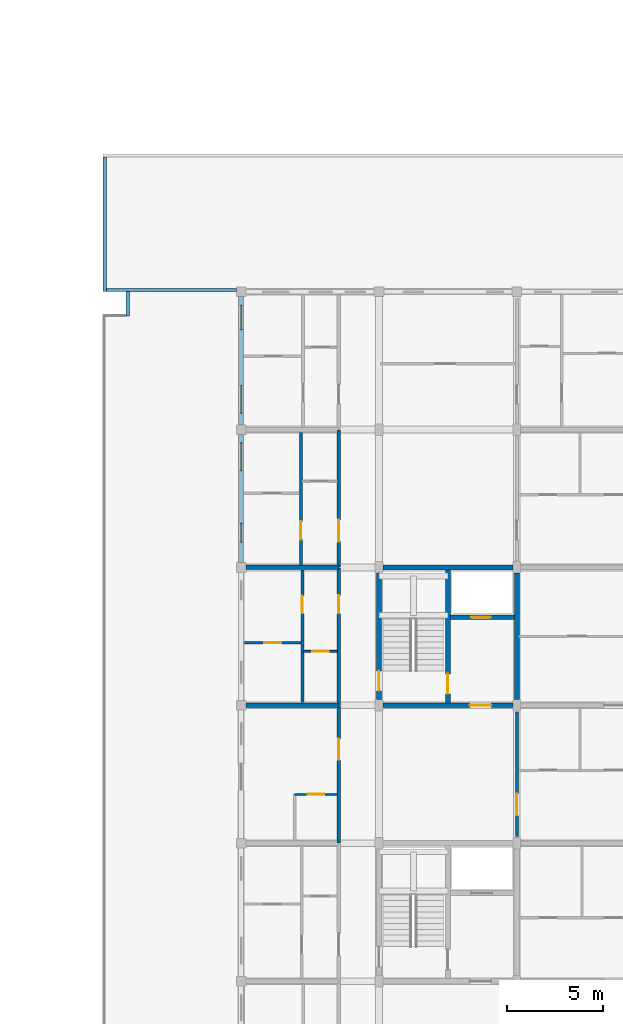
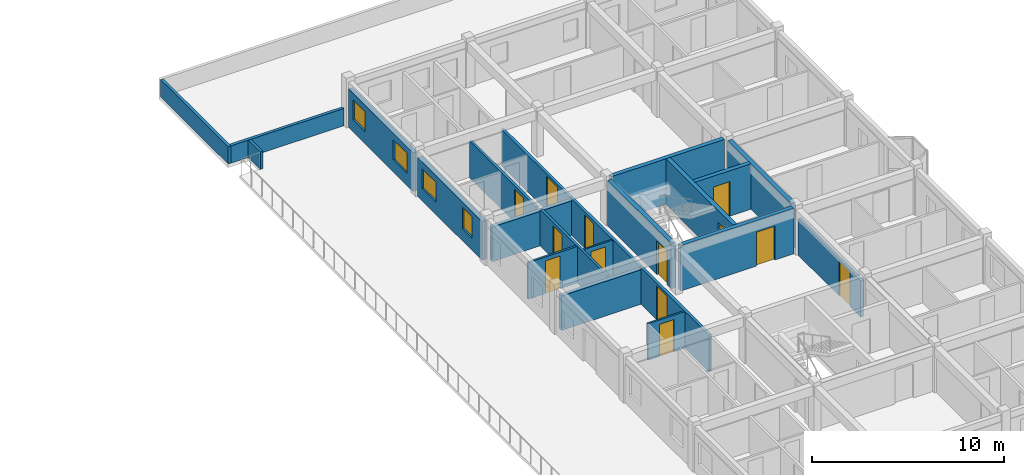
# One storey, part 56 of 70: 22 walls, 13 doors, 4 windows, 17 openings.
"""IFC4 building model written with IfcOpenShell, lengths in metres."""

from ifc_helpers import new_model, si_unit, direction, frame, frame_2d, origin, place, context, subcontext, project, spatial, rectangle, extrude, material, layer, layer_set, type_object, element, fill, save


model = new_model("IFC4")

# Units and contexts
model_context = context("Model", 3, precision=1e-05, world=origin(), true_north=direction((0.0, 1.0)))
body_context = subcontext(model_context, "Body", "Model", "MODEL_VIEW")
ifc_project = project(units=[si_unit("LENGTHUNIT", "METRE"), si_unit("AREAUNIT", "SQUARE_METRE"), si_unit("VOLUMEUNIT", "CUBIC_METRE"), si_unit("PLANEANGLEUNIT", "RADIAN"), si_unit("MASSUNIT", "GRAM", prefix="KILO"), si_unit("THERMODYNAMICTEMPERATUREUNIT", "KELVIN"), si_unit("POWERUNIT", "WATT")], contexts=[model_context])

# Site, building, storey
site_placement = place(None, origin())
site = spatial("IfcSite", under=ifc_project, at=site_placement, CompositionType="ELEMENT")
building_placement = place(site_placement, origin())
building = spatial("IfcBuilding", under=site, at=building_placement, Name="Tavuni Mirador Residences", CompositionType="ELEMENT")
storey_placement = place(building_placement, frame((0.0, 0.0, 23.39990234375)))
storey = spatial("IfcBuildingStorey", under=building, at=storey_placement, Name="L07", CompositionType="ELEMENT", Elevation=23.39990234375)

# Wall, opening, door
ifc_material_1 = material(Name="Precast concrete C40/50", Category="concrete")
ifc_layer_1 = layer(ifc_material_1, 0.25, Name="Precast concrete C40/50", Category="concrete")
ifc_layer_set_1 = layer_set([ifc_layer_1], Name="Precast concrete C40/50")
wall_type_1 = type_object("IfcWallType", Name="WT-COR250", PredefinedType="SHEAR", material=ifc_layer_set_1)
wall_1_placement = place(storey_placement, frame((104.39990234375, 108.300048828125, 0.0), z_axis=(0.0, 0.0, 1.0), x_axis=(0.0, 1.0, 0.0)))
wall_1 = element("IfcWall", 1, at=wall_1_placement, inside=storey, type_object=wall_type_1, Name="CWALL-C8-L07-W", PredefinedType="SHEAR", context=body_context, shape_type="SweptSolid", body=[
    extrude(rectangle(XDim=6.599853515625, YDim=0.25, at=frame_2d((3.2998046875, 0.0))), origin(), (0.0, 0.0, 1.0), 2.89013671875),
])
opening_1_placement = place(wall_1_placement, frame((0.449951171875, 0.0, 0.0)))
opening_1 = element("IfcOpeningElement", 2, at=opening_1_placement, cuts=wall_1, Name="Opening D-01", PredefinedType="OPENING", context=body_context, shape_type="SweptSolid", body=[
    extrude(rectangle(XDim=1.050048828125, YDim=2.14990234375, at=frame_2d((0.52490234375, 1.074951171875))), frame((0.0, 0.135009765625, 0.0), z_axis=(0.0, -1.0, 0.0), x_axis=(1.0, 0.0, 0.0)), (0.0, 0.0, 1.0), 0.27001953125),
])
ifc_material_2 = material(Name="Solid core iroko timber", Category="wood")
door_type_1 = type_object("IfcDoorType", Name="DT-ST1050", OperationType="NOTDEFINED", PredefinedType="DOOR", material=ifc_material_2)
door_1_placement = place(opening_1_placement, origin())
door_1 = element("IfcDoor", 3, at=door_1_placement, inside=storey, type_object=door_type_1, Name="DR-2341", OperationType="SINGLE_SWING_RIGHT", OverallHeight=2.14990234375, OverallWidth=1.050048828125, PredefinedType="DOOR", context=body_context, shape_type="SweptSolid", body=[
    extrude(rectangle(XDim=1.050048828125, YDim=2.14990234375, at=frame_2d((0.52490234375, 1.074951171875))), frame((0.0, 0.02490234375, 0.0), z_axis=(0.0, -1.0, 0.0), x_axis=(1.0, 0.0, 0.0)), (0.0, 0.0, 1.0), 0.050048828125),
])
fill(opening_1, door_1)

# Walls
wall_2_placement = place(storey_placement, frame((104.60009765625, 115.199951171875, 0.0), z_axis=(0.0, 0.0, 1.0), x_axis=(1.0, 0.0, 0.0)))
element("IfcWall", 4, at=wall_2_placement, inside=storey, type_object=wall_type_1, Name="CWALL-C8-L07-N", PredefinedType="SHEAR", context=body_context, shape_type="SweptSolid", body=[
    extrude(rectangle(XDim=6.7998046875, YDim=0.25, at=frame_2d((3.39990234375, 0.0))), origin(), (0.0, 0.0, 1.0), 2.89013671875),
])
wall_3_placement = place(storey_placement, frame((111.60009765625, 108.300048828125, 0.0), z_axis=(0.0, 0.0, 1.0), x_axis=(0.0, 1.0, 0.0)))
element("IfcWall", 5, at=wall_3_placement, inside=storey, type_object=wall_type_1, Name="CWALL-C8-L07-E", PredefinedType="SHEAR", context=body_context, shape_type="SweptSolid", body=[
    extrude(rectangle(XDim=6.599853515625, YDim=0.25, at=frame_2d((3.2998046875, 0.0))), origin(), (0.0, 0.0, 1.0), 2.89013671875),
])

# Wall, opening, door
wall_4_placement = place(storey_placement, frame((104.60009765625, 108.0, 0.0), z_axis=(0.0, 0.0, 1.0), x_axis=(1.0, 0.0, 0.0)))
wall_4 = element("IfcWall", 6, at=wall_4_placement, inside=storey, type_object=wall_type_1, Name="CWALL-C8-L07-SS", PredefinedType="SHEAR", context=body_context, shape_type="SweptSolid", body=[
    extrude(rectangle(XDim=6.7998046875, YDim=0.25, at=frame_2d((3.39990234375, 0.0))), origin(), (0.0, 0.0, 1.0), 2.89013671875),
])
opening_2_placement = place(wall_4_placement, frame((4.550048828125, 0.0, 0.0)))
opening_2 = element("IfcOpeningElement", 7, at=opening_2_placement, cuts=wall_4, Name="Opening D-02", PredefinedType="OPENING", context=body_context, shape_type="SweptSolid", body=[
    extrude(rectangle(XDim=1.10009765625, YDim=2.14990234375, at=frame_2d((0.550048828125, 1.074951171875))), frame((0.0, 0.135009765625, 0.0), z_axis=(0.0, -1.0, 0.0), x_axis=(1.0, 0.0, 0.0)), (0.0, 0.0, 1.0), 0.27001953125),
])
door_type_2 = type_object("IfcDoorType", Name="DT-LOB1100", OperationType="NOTDEFINED", PredefinedType="DOOR", material=ifc_material_2)
door_2_placement = place(opening_2_placement, frame((1.10009765625, 0.0, 0.0), z_axis=(0.0, 0.0, 1.0), x_axis=(-1.0, 0.0, 0.0)))
door_2 = element("IfcDoor", 8, at=door_2_placement, inside=storey, type_object=door_type_2, Name="DR-2342", OperationType="SINGLE_SWING_RIGHT", OverallHeight=2.14990234375, OverallWidth=1.10009765625, PredefinedType="DOOR", context=body_context, shape_type="SweptSolid", body=[
    extrude(rectangle(XDim=1.10009765625, YDim=2.14990234375, at=frame_2d((0.550048828125, 1.074951171875))), frame((0.0, 0.02490234375, 0.0), z_axis=(0.0, -1.0, 0.0), x_axis=(1.0, 0.0, 0.0)), (0.0, 0.0, 1.0), 0.050048828125),
])
fill(opening_2, door_2)

wall_5_placement = place(storey_placement, frame((108.0, 108.125, 0.0), z_axis=(0.0, 0.0, 1.0), x_axis=(0.0, 1.0, 0.0)))
wall_5 = element("IfcWall", 9, at=wall_5_placement, inside=storey, type_object=wall_type_1, Name="CWALL-C8-L07-MID", PredefinedType="SHEAR", context=body_context, shape_type="SweptSolid", body=[
    extrude(rectangle(XDim=6.949951171875, YDim=0.25, at=frame_2d((3.47509765625, 0.0))), origin(), (0.0, 0.0, 1.0), 2.89013671875),
])
opening_3_placement = place(wall_5_placement, frame((0.47509765625, 0.0, 0.0)))
opening_3 = element("IfcOpeningElement", 10, at=opening_3_placement, cuts=wall_5, Name="Opening D-01", PredefinedType="OPENING", context=body_context, shape_type="SweptSolid", body=[
    extrude(rectangle(XDim=1.050048828125, YDim=2.14990234375, at=frame_2d((0.52490234375, 1.074951171875))), frame((0.0, 0.135009765625, 0.0), z_axis=(0.0, -1.0, 0.0), x_axis=(1.0, 0.0, 0.0)), (0.0, 0.0, 1.0), 0.27001953125),
])
door_3_placement = place(opening_3_placement, origin())
door_3 = element("IfcDoor", 11, at=door_3_placement, inside=storey, type_object=door_type_1, Name="DR-2343", OperationType="SINGLE_SWING_LEFT", OverallHeight=2.14990234375, OverallWidth=1.050048828125, PredefinedType="DOOR", context=body_context, shape_type="SweptSolid", body=[
    extrude(rectangle(XDim=1.050048828125, YDim=2.14990234375, at=frame_2d((0.52490234375, 1.074951171875))), frame((0.0, 0.02490234375, 0.0), z_axis=(0.0, -1.0, 0.0), x_axis=(1.0, 0.0, 0.0)), (0.0, 0.0, 1.0), 0.050048828125),
])
fill(opening_3, door_3)

wall_6_placement = place(storey_placement, frame((108.125, 112.60009765625, 0.0), z_axis=(0.0, 0.0, 1.0), x_axis=(1.0, 0.0, 0.0)))
wall_6 = element("IfcWall", 12, at=wall_6_placement, inside=storey, type_object=wall_type_1, Name="CWALL-C8-L07-SHF", PredefinedType="SHEAR", context=body_context, shape_type="SweptSolid", body=[
    extrude(rectangle(XDim=3.35009765625, YDim=0.25, at=frame_2d((1.675048828125, 0.0))), origin(), (0.0, 0.0, 1.0), 2.89013671875),
])
opening_4_placement = place(wall_6_placement, frame((1.10009765625, 0.0, 0.0)))
opening_4 = element("IfcOpeningElement", 13, at=opening_4_placement, cuts=wall_6, Name="Opening LD-02", PredefinedType="OPENING", context=body_context, shape_type="SweptSolid", body=[
    extrude(rectangle(XDim=1.0, YDim=2.199951171875, at=frame_2d((0.5, 1.10009765625))), frame((0.0, 0.135009765625, 0.0), z_axis=(0.0, -1.0, 0.0), x_axis=(1.0, 0.0, 0.0)), (0.0, 0.0, 1.0), 0.27001953125),
])
ifc_material_3 = material(Name="Structural steel S355", Category="steel")
door_type_3 = type_object("IfcDoorType", Name="DT-LD-PAX", OperationType="SLIDING_TO_LEFT", PredefinedType="DOOR", material=ifc_material_3)
door_4_placement = place(opening_4_placement, origin())
door_4 = element("IfcDoor", 14, at=door_4_placement, inside=storey, type_object=door_type_3, Name="Lift landing door PL-D1 L07", OperationType="SLIDING_TO_LEFT", OverallHeight=2.199951171875, OverallWidth=1.0, PredefinedType="DOOR", context=body_context, shape_type="SweptSolid", body=[
    extrude(rectangle(XDim=1.0, YDim=2.199951171875, at=frame_2d((0.5, 1.10009765625))), frame((0.0, 0.02490234375, 0.0), z_axis=(0.0, -1.0, 0.0), x_axis=(1.0, 0.0, 0.0)), (0.0, 0.0, 1.0), 0.050048828125),
])
fill(opening_4, door_4)

ifc_layer_2 = layer(ifc_material_1, 0.1650390625, Name="Precast concrete C40/50", Category="concrete")
ifc_layer_set_2 = layer_set([ifc_layer_2], Name="Precast concrete C40/50")
wall_type_2 = type_object("IfcWallType", Name="WT-CORR165", PredefinedType="PARTITIONING", material=ifc_layer_set_2)
wall_7_placement = place(storey_placement, frame((102.300048828125, 100.820068359375, 0.0), z_axis=(0.0, 0.0, 1.0), x_axis=(0.0, 1.0, 0.0)))
wall_7 = element("IfcWall", 15, at=wall_7_placement, inside=storey, type_object=wall_type_2, Name="CORW-BLK-D-L07-0-02", PredefinedType="PARTITIONING", context=body_context, shape_type="SweptSolid", body=[
    extrude(rectangle(XDim=7.159912109375, YDim=0.1650390625, at=frame_2d((3.580078125, 0.0))), origin(), (0.0, 0.0, 1.0), 2.3251953125),
])
opening_5_placement = place(wall_7_placement, frame((4.330078125, 0.0, 0.0)))
opening_5 = element("IfcOpeningElement", 16, at=opening_5_placement, cuts=wall_7, Name="Opening D-02", PredefinedType="OPENING", context=body_context, shape_type="SweptSolid", body=[
    extrude(rectangle(XDim=1.10009765625, YDim=2.14990234375, at=frame_2d((0.550048828125, 1.074951171875))), frame((0.0, 0.092529296875, 0.0), z_axis=(0.0, -1.0, 0.0), x_axis=(1.0, 0.0, 0.0)), (0.0, 0.0, 1.0), 0.18505859375),
])
door_5_placement = place(opening_5_placement, origin())
door_5 = element("IfcDoor", 17, at=door_5_placement, inside=storey, type_object=door_type_2, Name="DR-2895", OperationType="SINGLE_SWING_RIGHT", OverallHeight=2.14990234375, OverallWidth=1.10009765625, PredefinedType="DOOR", context=body_context, shape_type="SweptSolid", body=[
    extrude(rectangle(XDim=1.10009765625, YDim=2.14990234375, at=frame_2d((0.550048828125, 1.074951171875))), frame((0.0, 0.02490234375, 0.0), z_axis=(0.0, -1.0, 0.0), x_axis=(1.0, 0.0, 0.0)), (0.0, 0.0, 1.0), 0.050048828125),
])
fill(opening_5, door_5)

wall_8_placement = place(storey_placement, frame((102.300048828125, 108.02001953125, 0.0), z_axis=(0.0, 0.0, 1.0), x_axis=(0.0, 1.0, 0.0)))
wall_8 = element("IfcWall", 18, at=wall_8_placement, inside=storey, type_object=wall_type_2, Name="CORW-BLK-D-L07-0-03", PredefinedType="PARTITIONING", context=body_context, shape_type="SweptSolid", body=[
    extrude(rectangle(XDim=7.159912109375, YDim=0.1650390625, at=frame_2d((3.580078125, 0.0))), origin(), (0.0, 0.0, 1.0), 2.3251953125),
])
opening_6_placement = place(wall_8_placement, frame((4.780029296875, 0.0, 0.0)))
opening_6 = element("IfcOpeningElement", 19, at=opening_6_placement, cuts=wall_8, Name="Opening D-19", PredefinedType="OPENING", context=body_context, shape_type="SweptSolid", body=[
    extrude(rectangle(XDim=0.93994140625, YDim=2.1201171875, at=frame_2d((0.469970703125, 1.06005859375))), frame((0.0, 0.092529296875, 0.0), z_axis=(0.0, -1.0, 0.0), x_axis=(1.0, 0.0, 0.0)), (0.0, 0.0, 1.0), 0.18505859375),
])
door_type_4 = type_object("IfcDoorType", Name="DT-FD60-940", OperationType="NOTDEFINED", PredefinedType="DOOR", material=ifc_material_2)
door_6_placement = place(opening_6_placement, origin())
door_6 = element("IfcDoor", 20, at=door_6_placement, inside=storey, type_object=door_type_4, Name="DR-2896", OperationType="SINGLE_SWING_LEFT", OverallHeight=2.1201171875, OverallWidth=0.93994140625, PredefinedType="DOOR", context=body_context, shape_type="SweptSolid", body=[
    extrude(rectangle(XDim=0.93994140625, YDim=2.1201171875, at=frame_2d((0.469970703125, 1.06005859375))), frame((0.0, 0.02490234375, 0.0), z_axis=(0.0, -1.0, 0.0), x_axis=(1.0, 0.0, 0.0)), (0.0, 0.0, 1.0), 0.050048828125),
])
fill(opening_6, door_6)

wall_9_placement = place(storey_placement, frame((102.300048828125, 115.219970703125, 0.0), z_axis=(0.0, 0.0, 1.0), x_axis=(0.0, 1.0, 0.0)))
wall_9 = element("IfcWall", 21, at=wall_9_placement, inside=storey, type_object=wall_type_2, Name="CORW-BLK-D-L07-0-04", PredefinedType="PARTITIONING", context=body_context, shape_type="SweptSolid", body=[
    extrude(rectangle(XDim=7.159912109375, YDim=0.1650390625, at=frame_2d((3.580078125, 0.0))), origin(), (0.0, 0.0, 1.0), 2.3251953125),
])
opening_7_placement = place(wall_9_placement, frame((1.330078125, 0.0, 0.0)))
opening_7 = element("IfcOpeningElement", 22, at=opening_7_placement, cuts=wall_9, Name="Opening D-20", PredefinedType="OPENING", context=body_context, shape_type="SweptSolid", body=[
    extrude(rectangle(XDim=1.139892578125, YDim=2.179931640625, at=frame_2d((0.56982421875, 1.08984375))), frame((0.0, 0.092529296875, 0.0), z_axis=(0.0, -1.0, 0.0), x_axis=(1.0, 0.0, 0.0)), (0.0, 0.0, 1.0), 0.18505859375),
])
door_type_5 = type_object("IfcDoorType", Name="DT-FD60-1140", OperationType="NOTDEFINED", PredefinedType="DOOR", material=ifc_material_2)
door_7_placement = place(opening_7_placement, origin())
door_7 = element("IfcDoor", 23, at=door_7_placement, inside=storey, type_object=door_type_5, Name="DR-2897", OperationType="SINGLE_SWING_RIGHT", OverallHeight=2.179931640625, OverallWidth=1.139892578125, PredefinedType="DOOR", context=body_context, shape_type="SweptSolid", body=[
    extrude(rectangle(XDim=1.139892578125, YDim=2.179931640625, at=frame_2d((0.56982421875, 1.08984375))), frame((0.0, 0.02490234375, 0.0), z_axis=(0.0, -1.0, 0.0), x_axis=(1.0, 0.0, 0.0)), (0.0, 0.0, 1.0), 0.050048828125),
])
fill(opening_7, door_7)

wall_10_placement = place(storey_placement, frame((111.60009765625, 101.14990234375, 0.0), z_axis=(0.0, 0.0, 1.0), x_axis=(0.0, 1.0, 0.0)))
wall_10 = element("IfcWall", 24, at=wall_10_placement, inside=storey, type_object=wall_type_2, Name="CORW-BLK-D-L07-1-02", PredefinedType="PARTITIONING", context=body_context, shape_type="SweptSolid", body=[
    extrude(rectangle(XDim=6.5, YDim=0.1650390625, at=frame_2d((3.25, 0.0))), origin(), (0.0, 0.0, 1.0), 2.3251953125),
])
opening_8_placement = place(wall_10_placement, frame((1.10009765625, 0.0, 0.0)))
opening_8 = element("IfcOpeningElement", 25, at=opening_8_placement, cuts=wall_10, Name="Opening D-20", PredefinedType="OPENING", context=body_context, shape_type="SweptSolid", body=[
    extrude(rectangle(XDim=1.139892578125, YDim=2.179931640625, at=frame_2d((0.56982421875, 1.08984375))), frame((0.0, 0.092529296875, 0.0), z_axis=(0.0, -1.0, 0.0), x_axis=(1.0, 0.0, 0.0)), (0.0, 0.0, 1.0), 0.18505859375),
])
door_8_placement = place(opening_8_placement, origin())
door_8 = element("IfcDoor", 26, at=door_8_placement, inside=storey, type_object=door_type_5, Name="DR-2900", OperationType="SINGLE_SWING_LEFT", OverallHeight=2.179931640625, OverallWidth=1.139892578125, PredefinedType="DOOR", context=body_context, shape_type="SweptSolid", body=[
    extrude(rectangle(XDim=1.139892578125, YDim=2.179931640625, at=frame_2d((0.56982421875, 1.08984375))), frame((0.0, 0.02490234375, 0.0), z_axis=(0.0, -1.0, 0.0), x_axis=(1.0, 0.0, 0.0)), (0.0, 0.0, 1.0), 0.050048828125),
])
fill(opening_8, door_8)

# Wall, openings, windows
ifc_material_4 = material(Name="Sgraffito lime-rendered precast concrete C40/50", Category="concrete")
ifc_layer_3 = layer(ifc_material_4, 0.2548828125, Name="Sgraffito lime-rendered precast concrete C40/50", Category="concrete")
ifc_layer_set_3 = layer_set([ifc_layer_3], Name="Sgraffito lime-rendered precast concrete C40/50")
wall_type_3 = type_object("IfcWallType", Name="WT-EXT-PC255", PredefinedType="SOLIDWALL", material=ifc_layer_set_3)
wall_11_placement = place(storey_placement, frame((97.199951171875, 129.35009765625, 0.0), z_axis=(0.0, 0.0, 1.0), x_axis=(0.0, -1.0, 0.0)))
wall_11 = element("IfcWall", 27, at=wall_11_placement, inside=storey, type_object=wall_type_3, Name="EW-BLK-D-L07-W05", PredefinedType="SOLIDWALL", context=body_context, shape_type="SweptSolid", body=[
    extrude(rectangle(XDim=6.7001953125, YDim=0.2548828125, at=frame_2d((3.35009765625, 0.0))), origin(), (0.0, 0.0, 1.0), 2.460205078125),
])
opening_9_placement = place(wall_11_placement, frame((0.449951171875, 0.0, 0.780029296875)))
opening_9 = element("IfcOpeningElement", 28, at=opening_9_placement, cuts=wall_11, Name="Opening WN-14", PredefinedType="OPENING", context=body_context, shape_type="SweptSolid", body=[
    extrude(rectangle(XDim=1.280029296875, YDim=1.260009765625, at=frame_2d((0.64013671875, 0.6298828125))), frame((0.0, 0.137451171875, 0.0), z_axis=(0.0, -1.0, 0.0), x_axis=(1.0, 0.0, 0.0)), (0.0, 0.0, 1.0), 0.27490234375),
])
opening_10_placement = place(wall_11_placement, frame((4.64990234375, 0.0, 0.780029296875)))
opening_10 = element("IfcOpeningElement", 29, at=opening_10_placement, cuts=wall_11, Name="Opening WN-16", PredefinedType="OPENING", context=body_context, shape_type="SweptSolid", body=[
    extrude(rectangle(XDim=1.43994140625, YDim=1.260009765625, at=frame_2d((0.719970703125, 0.6298828125))), frame((0.0, 0.137451171875, 0.0), z_axis=(0.0, -1.0, 0.0), x_axis=(1.0, 0.0, 0.0)), (0.0, 0.0, 1.0), 0.27490234375),
])
ifc_material_5 = material(Name="Laminated solar-control glass", Category="glass")
window_type_1 = type_object("IfcWindowType", Name="WNT-14", PartitioningType="SINGLE_PANEL", PredefinedType="WINDOW", material=ifc_material_5)
window_1_placement = place(opening_9_placement, origin())
window_1 = element("IfcWindow", 30, at=window_1_placement, inside=storey, type_object=window_type_1, Name="WIN-1716", OverallHeight=1.260009765625, OverallWidth=1.280029296875, PartitioningType="SINGLE_PANEL", PredefinedType="WINDOW", context=body_context, shape_type="SweptSolid", body=[
    extrude(rectangle(XDim=1.280029296875, YDim=1.260009765625, at=frame_2d((0.64013671875, 0.6298828125))), frame((0.0, 0.030029296875, 0.0), z_axis=(0.0, -1.0, 0.0), x_axis=(1.0, 0.0, 0.0)), (0.0, 0.0, 1.0), 0.06005859375),
])
fill(opening_9, window_1)
window_type_2 = type_object("IfcWindowType", Name="WNT-16", PartitioningType="SINGLE_PANEL", PredefinedType="WINDOW", material=ifc_material_5)
window_2_placement = place(opening_10_placement, origin())
window_2 = element("IfcWindow", 31, at=window_2_placement, inside=storey, type_object=window_type_2, Name="WIN-1717", OverallHeight=1.260009765625, OverallWidth=1.43994140625, PartitioningType="SINGLE_PANEL", PredefinedType="WINDOW", context=body_context, shape_type="SweptSolid", body=[
    extrude(rectangle(XDim=1.43994140625, YDim=1.260009765625, at=frame_2d((0.719970703125, 0.6298828125))), frame((0.0, 0.030029296875, 0.0), z_axis=(0.0, -1.0, 0.0), x_axis=(1.0, 0.0, 0.0)), (0.0, 0.0, 1.0), 0.06005859375),
])
fill(opening_10, window_2)

ifc_layer_4 = layer(ifc_material_4, 0.27490234375, Name="Sgraffito lime-rendered precast concrete C40/50", Category="concrete")
ifc_layer_set_4 = layer_set([ifc_layer_4], Name="Sgraffito lime-rendered precast concrete C40/50")
wall_type_4 = type_object("IfcWallType", Name="WT-EXT-PC275", PredefinedType="SOLIDWALL", material=ifc_layer_set_4)
wall_12_placement = place(storey_placement, frame((97.199951171875, 122.14990234375, 0.0), z_axis=(0.0, 0.0, 1.0), x_axis=(0.0, -1.0, 0.0)))
wall_12 = element("IfcWall", 32, at=wall_12_placement, inside=storey, type_object=wall_type_4, Name="EW-BLK-D-L07-W04", PredefinedType="SOLIDWALL", context=body_context, shape_type="SweptSolid", body=[
    extrude(rectangle(XDim=6.699951171875, YDim=0.27490234375, at=frame_2d((3.35009765625, 0.0))), origin(), (0.0, 0.0, 1.0), 2.460205078125),
])
opening_11_placement = place(wall_12_placement, frame((0.449951171875, 0.0, 0.780029296875)))
opening_11 = element("IfcOpeningElement", 33, at=opening_11_placement, cuts=wall_12, Name="Opening WN-16", PredefinedType="OPENING", context=body_context, shape_type="SweptSolid", body=[
    extrude(rectangle(XDim=1.43994140625, YDim=1.260009765625, at=frame_2d((0.719970703125, 0.6298828125))), frame((0.0, 0.1474609375, 0.0), z_axis=(0.0, -1.0, 0.0), x_axis=(1.0, 0.0, 0.0)), (0.0, 0.0, 1.0), 0.294921875),
])
opening_12_placement = place(wall_12_placement, frame((4.64990234375, 0.0, 0.780029296875)))
opening_12 = element("IfcOpeningElement", 34, at=opening_12_placement, cuts=wall_12, Name="Opening WN-18", PredefinedType="OPENING", context=body_context, shape_type="SweptSolid", body=[
    extrude(rectangle(XDim=0.97998046875, YDim=1.360107421875, at=frame_2d((0.489990234375, 0.68017578125))), frame((0.0, 0.1474609375, 0.0), z_axis=(0.0, -1.0, 0.0), x_axis=(1.0, 0.0, 0.0)), (0.0, 0.0, 1.0), 0.294921875),
])
window_3_placement = place(opening_11_placement, origin())
window_3 = element("IfcWindow", 35, at=window_3_placement, inside=storey, type_object=window_type_2, Name="WIN-1718", OverallHeight=1.260009765625, OverallWidth=1.43994140625, PartitioningType="SINGLE_PANEL", PredefinedType="WINDOW", context=body_context, shape_type="SweptSolid", body=[
    extrude(rectangle(XDim=1.43994140625, YDim=1.260009765625, at=frame_2d((0.719970703125, 0.6298828125))), frame((0.0, 0.030029296875, 0.0), z_axis=(0.0, -1.0, 0.0), x_axis=(1.0, 0.0, 0.0)), (0.0, 0.0, 1.0), 0.06005859375),
])
fill(opening_11, window_3)
window_type_3 = type_object("IfcWindowType", Name="WNT-18", PartitioningType="SINGLE_PANEL", PredefinedType="WINDOW", material=ifc_material_5)
window_4_placement = place(opening_12_placement, origin())
window_4 = element("IfcWindow", 36, at=window_4_placement, inside=storey, type_object=window_type_3, Name="WIN-1719", OverallHeight=1.360107421875, OverallWidth=0.97998046875, PartitioningType="SINGLE_PANEL", PredefinedType="WINDOW", context=body_context, shape_type="SweptSolid", body=[
    extrude(rectangle(XDim=0.97998046875, YDim=1.360107421875, at=frame_2d((0.489990234375, 0.68017578125))), frame((0.0, 0.030029296875, 0.0), z_axis=(0.0, -1.0, 0.0), x_axis=(1.0, 0.0, 0.0)), (0.0, 0.0, 1.0), 0.06005859375),
])
fill(opening_12, window_4)

# Walls
ifc_layer_5 = layer(ifc_material_1, 0.175048828125, Name="Precast concrete C40/50", Category="concrete")
ifc_layer_set_5 = layer_set([ifc_layer_5], Name="Precast concrete C40/50")
wall_type_5 = type_object("IfcWallType", Name="WT-PAR175", PredefinedType="PARAPET", material=ifc_layer_set_5)
wall_13_placement = place(storey_placement, frame((90.08740234375, 129.60009765625, 0.0), z_axis=(0.0, 0.0, 1.0), x_axis=(0.0, 1.0, 0.0)))
element("IfcWall", 37, at=wall_13_placement, inside=storey, type_object=wall_type_5, Name="Setback roof parapet ROOF-D-L07-N W", PredefinedType="PARAPET", context=body_context, shape_type="SweptSolid", body=[
    extrude(rectangle(XDim=7.02490234375, YDim=0.175048828125, at=frame_2d((3.512451171875, 0.0))), origin(), (0.0, 0.0, 1.0), 1.10009765625),
])
wall_14_placement = place(storey_placement, frame((90.175048828125, 129.6875, 0.0), z_axis=(0.0, 0.0, 1.0), x_axis=(1.0, 0.0, 0.0)))
element("IfcWall", 38, at=wall_14_placement, inside=storey, type_object=wall_type_5, Name="Setback roof parapet ROOF-D-L07-N S", PredefinedType="PARAPET", context=body_context, shape_type="SweptSolid", body=[
    extrude(rectangle(XDim=6.77294921875, YDim=0.175048828125, at=frame_2d((3.386474609375, 0.0))), origin(), (0.0, 0.0, 1.0), 1.10009765625),
])
wall_15_placement = place(storey_placement, frame((91.28759765625, 128.340087890625, 0.0), z_axis=(0.0, 0.0, 1.0), x_axis=(0.0, 1.0, 0.0)))
element("IfcWall", 39, at=wall_15_placement, inside=storey, type_object=wall_type_5, Name="Terrace parapet TER-D-L07 R", PredefinedType="PARAPET", context=body_context, shape_type="SweptSolid", body=[
    extrude(rectangle(XDim=1.260009765625, YDim=0.175048828125, at=frame_2d((0.6298828125, 0.0))), origin(), (0.0, 0.0, 1.0), 1.10009765625),
])

# Wall, opening, door
ifc_material_6 = material(Name="Acoustic gypsum and concrete block partition", Category="concrete")
ifc_layer_6 = layer(ifc_material_6, 0.094970703125, Name="Acoustic gypsum and concrete block partition", Category="concrete")
ifc_layer_set_6 = layer_set([ifc_layer_6], Name="Acoustic gypsum and concrete block partition")
wall_type_6 = type_object("IfcWallType", Name="WT-PART095", PredefinedType="PARTITIONING", material=ifc_layer_set_6)
wall_16_placement = place(storey_placement, frame((100.469970703125, 110.820068359375, 0.0), z_axis=(0.0, 0.0, 1.0), x_axis=(1.0, 0.0, 0.0)))
wall_16 = element("IfcWall", 40, at=wall_16_placement, inside=storey, type_object=wall_type_6, Name="PW-BLK-D-L07-W03-IN1", PredefinedType="PARTITIONING", context=body_context, shape_type="SweptSolid", body=[
    extrude(rectangle(XDim=1.739990234375, YDim=0.094970703125, at=frame_2d((0.8701171875, 0.0))), origin(), (0.0, 0.0, 1.0), 2.3251953125),
])
opening_13_placement = place(wall_16_placement, frame((0.43505859375, 0.0, 0.0)))
opening_13 = element("IfcOpeningElement", 41, at=opening_13_placement, cuts=wall_16, Name="Opening D-10", PredefinedType="OPENING", context=body_context, shape_type="SweptSolid", body=[
    extrude(rectangle(XDim=0.8701171875, YDim=2.050048828125, at=frame_2d((0.43505859375, 1.02490234375))), frame((0.0, 0.0576171875, 0.0), z_axis=(0.0, -1.0, 0.0), x_axis=(1.0, 0.0, 0.0)), (0.0, 0.0, 1.0), 0.114990234375),
])
door_type_6 = type_object("IfcDoorType", Name="DT-WC870", OperationType="NOTDEFINED", PredefinedType="DOOR", material=ifc_material_2)
door_9_placement = place(opening_13_placement, origin())
door_9 = element("IfcDoor", 42, at=door_9_placement, inside=storey, type_object=door_type_6, Name="DR-4565", OperationType="SINGLE_SWING_LEFT", OverallHeight=2.050048828125, OverallWidth=0.8701171875, PredefinedType="DOOR", context=body_context, shape_type="SweptSolid", body=[
    extrude(rectangle(XDim=0.8701171875, YDim=2.050048828125, at=frame_2d((0.43505859375, 1.02490234375))), frame((0.0, 0.02490234375, 0.0), z_axis=(0.0, -1.0, 0.0), x_axis=(1.0, 0.0, 0.0)), (0.0, 0.0, 1.0), 0.050048828125),
])
fill(opening_13, door_9)

ifc_layer_7 = layer(ifc_material_6, 0.114990234375, Name="Acoustic gypsum and concrete block partition", Category="concrete")
ifc_layer_set_7 = layer_set([ifc_layer_7], Name="Acoustic gypsum and concrete block partition")
wall_type_7 = type_object("IfcWallType", Name="WT-PART115", PredefinedType="PARTITIONING", material=ifc_layer_set_7)
wall_17_placement = place(storey_placement, frame((100.0, 103.35009765625, 0.0), z_axis=(0.0, 0.0, 1.0), x_axis=(1.0, 0.0, 0.0)))
wall_17 = element("IfcWall", 43, at=wall_17_placement, inside=storey, type_object=wall_type_7, Name="PW-BLK-D-L07-W02-2", PredefinedType="PARTITIONING", context=body_context, shape_type="SweptSolid", body=[
    extrude(rectangle(XDim=2.2099609375, YDim=0.114990234375, at=frame_2d((1.10498046875, 0.0))), origin(), (0.0, 0.0, 1.0), 2.3251953125),
])
opening_14_placement = place(wall_17_placement, frame((0.679931640625, 0.0, 0.0)))
opening_14 = element("IfcOpeningElement", 44, at=opening_14_placement, cuts=wall_17, Name="Opening D-10", PredefinedType="OPENING", context=body_context, shape_type="SweptSolid", body=[
    extrude(rectangle(XDim=0.8701171875, YDim=2.050048828125, at=frame_2d((0.43505859375, 1.02490234375))), frame((0.0, 0.0673828125, 0.0), z_axis=(0.0, -1.0, 0.0), x_axis=(1.0, 0.0, 0.0)), (0.0, 0.0, 1.0), 0.135009765625),
])
door_10_placement = place(opening_14_placement, origin())
door_10 = element("IfcDoor", 45, at=door_10_placement, inside=storey, type_object=door_type_6, Name="DR-4561", OperationType="SINGLE_SWING_RIGHT", OverallHeight=2.050048828125, OverallWidth=0.8701171875, PredefinedType="DOOR", context=body_context, shape_type="SweptSolid", body=[
    extrude(rectangle(XDim=0.8701171875, YDim=2.050048828125, at=frame_2d((0.43505859375, 1.02490234375))), frame((0.0, 0.02490234375, 0.0), z_axis=(0.0, -1.0, 0.0), x_axis=(1.0, 0.0, 0.0)), (0.0, 0.0, 1.0), 0.050048828125),
])
fill(opening_14, door_10)

ifc_layer_8 = layer(ifc_material_6, 0.125, Name="Acoustic gypsum and concrete block partition", Category="concrete")
ifc_layer_set_8 = layer_set([ifc_layer_8], Name="Acoustic gypsum and concrete block partition")
wall_type_8 = type_object("IfcWallType", Name="WT-PART125", PredefinedType="PARTITIONING", material=ifc_layer_set_8)
wall_18_placement = place(storey_placement, frame((97.375, 111.260009765625, 0.0), z_axis=(0.0, 0.0, 1.0), x_axis=(1.0, 0.0, 0.0)))
wall_18 = element("IfcWall", 46, at=wall_18_placement, inside=storey, type_object=wall_type_8, Name="PW-BLK-D-L07-W03-OUT", PredefinedType="PARTITIONING", context=body_context, shape_type="SweptSolid", body=[
    extrude(rectangle(XDim=2.955078125, YDim=0.125, at=frame_2d((1.4775390625, 0.0))), origin(), (0.0, 0.0, 1.0), 2.3251953125),
])
opening_15_placement = place(wall_18_placement, frame((1.03759765625, 0.0, 0.0)))
opening_15 = element("IfcOpeningElement", 47, at=opening_15_placement, cuts=wall_18, Name="Opening D-08", PredefinedType="OPENING", context=body_context, shape_type="SweptSolid", body=[
    extrude(rectangle(XDim=0.8798828125, YDim=2.080078125, at=frame_2d((0.43994140625, 1.0400390625))), frame((0.0, 0.072509765625, 0.0), z_axis=(0.0, -1.0, 0.0), x_axis=(1.0, 0.0, 0.0)), (0.0, 0.0, 1.0), 0.14501953125),
])
door_type_7 = type_object("IfcDoorType", Name="DT-BED880", OperationType="NOTDEFINED", PredefinedType="DOOR", material=ifc_material_2)
door_11_placement = place(opening_15_placement, origin())
door_11 = element("IfcDoor", 48, at=door_11_placement, inside=storey, type_object=door_type_7, Name="DR-4564", OperationType="SINGLE_SWING_RIGHT", OverallHeight=2.080078125, OverallWidth=0.8798828125, PredefinedType="DOOR", context=body_context, shape_type="SweptSolid", body=[
    extrude(rectangle(XDim=0.8798828125, YDim=2.080078125, at=frame_2d((0.43994140625, 1.0400390625))), frame((0.0, 0.02490234375, 0.0), z_axis=(0.0, -1.0, 0.0), x_axis=(1.0, 0.0, 0.0)), (0.0, 0.0, 1.0), 0.050048828125),
])
fill(opening_15, door_11)

ifc_layer_9 = layer(ifc_material_6, 0.14990234375, Name="Acoustic gypsum and concrete block partition", Category="concrete")
ifc_layer_set_9 = layer_set([ifc_layer_9], Name="Acoustic gypsum and concrete block partition")
wall_type_9 = type_object("IfcWallType", Name="WT-PART150", PredefinedType="PARTITIONING", material=ifc_layer_set_9)
wall_19_placement = place(storey_placement, frame((100.39990234375, 108.139892578125, 0.0), z_axis=(0.0, 0.0, 1.0), x_axis=(0.0, 1.0, 0.0)))
wall_19 = element("IfcWall", 49, at=wall_19_placement, inside=storey, type_object=wall_type_9, Name="PW-BLK-D-L07-W03-MID", PredefinedType="PARTITIONING", context=body_context, shape_type="SweptSolid", body=[
    extrude(rectangle(XDim=6.920166015625, YDim=0.14990234375, at=frame_2d((3.4599609375, 0.0))), origin(), (0.0, 0.0, 1.0), 2.3251953125),
])
opening_16_placement = place(wall_19_placement, frame((4.659912109375, 0.0, 0.0)))
opening_16 = element("IfcOpeningElement", 50, at=opening_16_placement, cuts=wall_19, Name="Opening D-06", PredefinedType="OPENING", context=body_context, shape_type="SweptSolid", body=[
    extrude(rectangle(XDim=0.919921875, YDim=2.10009765625, at=frame_2d((0.4599609375, 1.050048828125))), frame((0.0, 0.0849609375, 0.0), z_axis=(0.0, -1.0, 0.0), x_axis=(1.0, 0.0, 0.0)), (0.0, 0.0, 1.0), 0.169921875),
])
door_type_8 = type_object("IfcDoorType", Name="DT-INT920", OperationType="NOTDEFINED", PredefinedType="DOOR", material=ifc_material_2)
door_12_placement = place(opening_16_placement, origin())
door_12 = element("IfcDoor", 51, at=door_12_placement, inside=storey, type_object=door_type_8, Name="DR-4566", OperationType="SINGLE_SWING_RIGHT", OverallHeight=2.10009765625, OverallWidth=0.919921875, PredefinedType="DOOR", context=body_context, shape_type="SweptSolid", body=[
    extrude(rectangle(XDim=0.919921875, YDim=2.10009765625, at=frame_2d((0.4599609375, 1.050048828125))), frame((0.0, 0.02490234375, 0.0), z_axis=(0.0, -1.0, 0.0), x_axis=(1.0, 0.0, 0.0)), (0.0, 0.0, 1.0), 0.050048828125),
])
fill(opening_16, door_12)

wall_20_placement = place(storey_placement, frame((100.320068359375, 115.340087890625, 0.0), z_axis=(0.0, 0.0, 1.0), x_axis=(0.0, 1.0, 0.0)))
wall_20 = element("IfcWall", 52, at=wall_20_placement, inside=storey, type_object=wall_type_9, Name="PW-BLK-D-L07-W04-MID", PredefinedType="PARTITIONING", context=body_context, shape_type="SweptSolid", body=[
    extrude(rectangle(XDim=6.919921875, YDim=0.14990234375, at=frame_2d((3.4599609375, 0.0))), origin(), (0.0, 0.0, 1.0), 2.3251953125),
])
opening_17_placement = place(wall_20_placement, frame((1.31005859375, 0.0, 0.0)))
opening_17 = element("IfcOpeningElement", 53, at=opening_17_placement, cuts=wall_20, Name="Opening D-05", PredefinedType="OPENING", context=body_context, shape_type="SweptSolid", body=[
    extrude(rectangle(XDim=0.949951171875, YDim=2.10009765625, at=frame_2d((0.47509765625, 1.050048828125))), frame((0.0, 0.0849609375, 0.0), z_axis=(0.0, -1.0, 0.0), x_axis=(1.0, 0.0, 0.0)), (0.0, 0.0, 1.0), 0.169921875),
])
door_type_9 = type_object("IfcDoorType", Name="DT-INT950", OperationType="NOTDEFINED", PredefinedType="DOOR", material=ifc_material_2)
door_13_placement = place(opening_17_placement, origin())
door_13 = element("IfcDoor", 54, at=door_13_placement, inside=storey, type_object=door_type_9, Name="DR-4570", OperationType="SINGLE_SWING_LEFT", OverallHeight=2.10009765625, OverallWidth=0.949951171875, PredefinedType="DOOR", context=body_context, shape_type="SweptSolid", body=[
    extrude(rectangle(XDim=0.949951171875, YDim=2.10009765625, at=frame_2d((0.47509765625, 1.050048828125))), frame((0.0, 0.02490234375, 0.0), z_axis=(0.0, -1.0, 0.0), x_axis=(1.0, 0.0, 0.0)), (0.0, 0.0, 1.0), 0.050048828125),
])
fill(opening_17, door_13)

# Walls
ifc_layer_10 = layer(ifc_material_1, 0.235107421875, Name="Precast concrete C40/50", Category="concrete")
ifc_layer_set_10 = layer_set([ifc_layer_10], Name="Precast concrete C40/50")
wall_type_10 = type_object("IfcWallType", Name="WT-XW235", PredefinedType="SOLIDWALL", material=ifc_layer_set_10)
for number, where, z_axis, x_axis, name in (
    (55, (97.449951171875, 108.0, 0.0), (0.0, 0.0, 1.0), (1.0, 0.0, 0.0), "XW-BLK-D-L07-W-03"),
    (56, (97.449951171875, 115.199951171875, 0.0), (0.0, 0.0, 1.0), (1.0, 0.0, 0.0), "XW-BLK-D-L07-W-04"),
):
    element("IfcWall", number, at=place(storey_placement, frame(where, z_axis=z_axis, x_axis=x_axis)), inside=storey, type_object=wall_type_10, Name=name, PredefinedType="SOLIDWALL", context=body_context, shape_type="SweptSolid", body=[
        extrude(rectangle(XDim=4.85009765625, YDim=0.235107421875, at=frame_2d((2.425048828125, 0.0))), origin(), (0.0, 0.0, 1.0), 2.190185546875),
    ])

save(model, "model.ifc")
